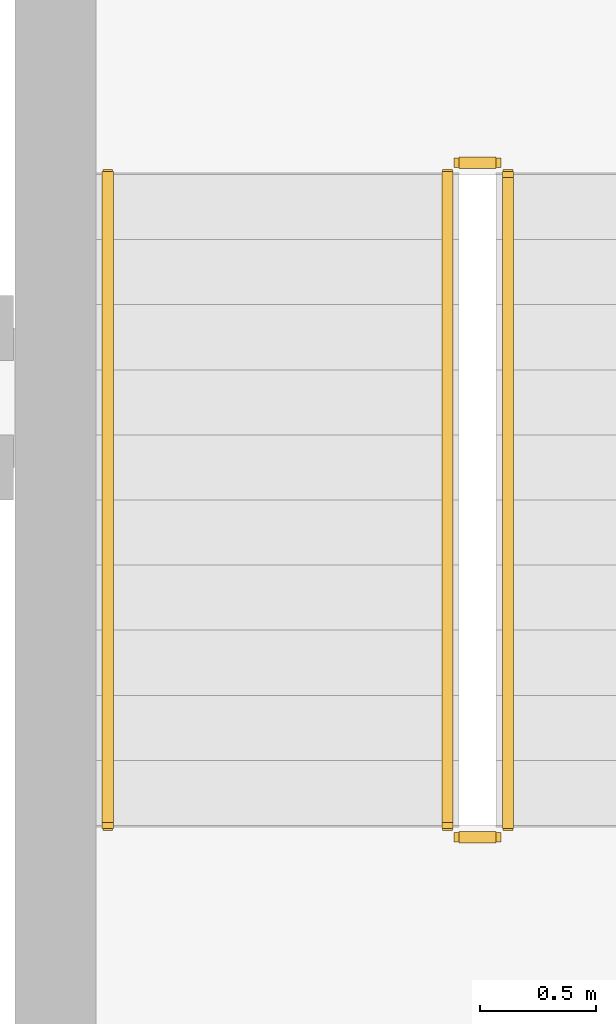
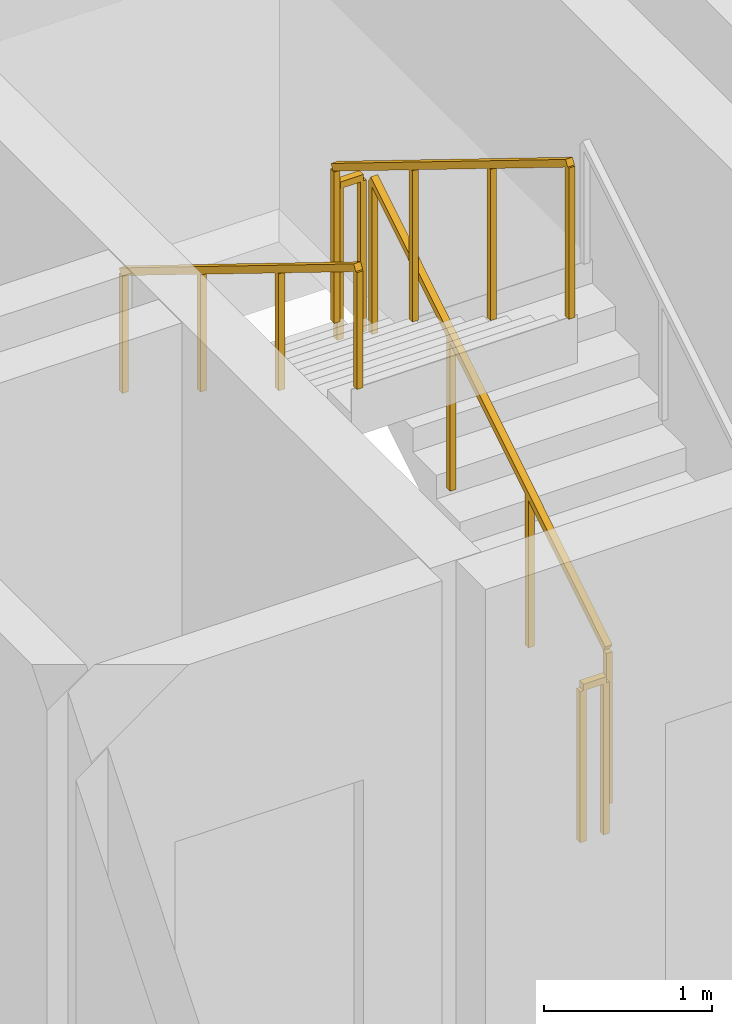
# One storey, part 14 of 15: 5 railings.
"""IFC4 building model written with IfcOpenShell, lengths in metres."""

from ifc_helpers import new_model, si_unit, direction, frame, origin, origin_2d, place, context, subcontext, project, spatial, rectangle, extrude, material, type_object, element, save


model = new_model("IFC4")

# Units and contexts
model_context = context("Model", 3, precision=1e-05, world=origin(), true_north=direction((0.0, 1.0)))
body_context = subcontext(model_context, "Body", "Model", "MODEL_VIEW")
ifc_project = project(units=[si_unit("LENGTHUNIT", "METRE"), si_unit("AREAUNIT", "SQUARE_METRE"), si_unit("VOLUMEUNIT", "CUBIC_METRE"), si_unit("PLANEANGLEUNIT", "RADIAN"), si_unit("MASSUNIT", "GRAM", prefix="KILO")], contexts=[model_context])

# Site, building, storey
site_placement = place(None, origin())
site = spatial("IfcSite", under=ifc_project, at=site_placement, CompositionType="ELEMENT")
building_placement = place(site_placement, origin())
building = spatial("IfcBuilding", under=site, at=building_placement, Name="Kaelvorn Grand Hotel", CompositionType="ELEMENT")
storey_placement = place(building_placement, frame((0.0, 0.0, 146.75)))
storey = spatial("IfcBuildingStorey", under=building, at=storey_placement, Name="L35", CompositionType="ELEMENT", Elevation=146.75)

# Railings
ifc_material = material(Name="Stainless Steel", Category="steel")
railing_type_1 = type_object("IfcRailingType", Name="RL-HANDRAIL-900", PredefinedType="HANDRAIL", material=ifc_material)
railing_1_placement = place(storey_placement, frame((63.3701171875, 44.56005859375, 2.07275390625)))
element("IfcRailing", 1, at=railing_1_placement, inside=storey, type_object=railing_type_1, Name="L35 ST3 stair handrail 2", PredefinedType="HANDRAIL", context=body_context, shape_type="SweptSolid", body=[
    extrude(rectangle(XDim=0.048095703125, YDim=0.048095703125, at=origin_2d()), frame((0.0, 0.0, 0.8759765625), z_axis=(0.0, -0.851089632645, 0.525020415988), x_axis=(1.0, 0.0, 0.0)), (0.0, 0.0, 1.0), 3.2900390625),
    extrude(rectangle(XDim=0.0419921875, YDim=0.0419921875, at=origin_2d()), origin(), (0.0, 0.0, 1.0), 0.851806640625),
    extrude(rectangle(XDim=0.0419921875, YDim=0.0419921875, at=origin_2d()), frame((0.0, -0.933349609375, 0.57568359375)), (0.0, 0.0, 1.0), 0.851806640625),
    extrude(rectangle(XDim=0.0419921875, YDim=0.0419921875, at=origin_2d()), frame((0.0, -1.86669921875, 1.151611328125)), (0.0, 0.0, 1.0), 0.851806640625),
    extrude(rectangle(XDim=0.0419921875, YDim=0.0419921875, at=origin_2d()), frame((0.0, -2.800048828125, 1.727294921875)), (0.0, 0.0, 1.0), 0.851806640625),
])
railing_type_2 = type_object("IfcRailingType", Name="RL-STAIR-GUARD-1150", PredefinedType="BALUSTRADE", material=ifc_material)
railing_2_placement = place(storey_placement, frame((65.090087890625, 41.760009765625, 0.172607421875)))
element("IfcRailing", 2, at=railing_2_placement, inside=storey, type_object=railing_type_2, Name="L35 ST3 stair guard 1", PredefinedType="BALUSTRADE", context=body_context, shape_type="SweptSolid", body=[
    extrude(rectangle(XDim=0.048095703125, YDim=0.048095703125, at=origin_2d()), frame((0.0, 0.0, 1.1259765625), z_axis=(0.0, 0.851089632645, 0.525020415988), x_axis=(-1.0, 0.0, 0.0)), (0.0, 0.0, 1.0), 3.2900390625),
    extrude(rectangle(XDim=0.0419921875, YDim=0.0419921875, at=origin_2d()), origin(), (0.0, 0.0, 1.0), 1.101806640625),
    extrude(rectangle(XDim=0.0419921875, YDim=0.0419921875, at=origin_2d()), frame((0.0, 0.933349609375, 0.57568359375)), (0.0, 0.0, 1.0), 1.101806640625),
    extrude(rectangle(XDim=0.0419921875, YDim=0.0419921875, at=origin_2d()), frame((0.0, 1.86669921875, 1.151611328125)), (0.0, 0.0, 1.0), 1.101806640625),
    extrude(rectangle(XDim=0.0419921875, YDim=0.0419921875, at=origin_2d()), frame((0.0, 2.800048828125, 1.727294921875)), (0.0, 0.0, 1.0), 1.101806640625),
])
railing_3_placement = place(storey_placement, frame((65.0400390625, 44.610107421875, 1.89990234375)))
element("IfcRailing", 3, at=railing_3_placement, inside=storey, type_object=railing_type_2, Name="L35 ST3 stair guard 2", PredefinedType="BALUSTRADE", context=body_context, shape_type="SweptSolid", body=[
    extrude(rectangle(XDim=0.048095703125, YDim=0.048095703125, at=origin_2d()), frame((0.0, 0.0, 1.1259765625), z_axis=(-1.0, 0.0, 0.0), x_axis=(0.0, -1.0, 0.0)), (0.0, 0.0, 1.0), 0.16015625),
    extrude(rectangle(XDim=0.0419921875, YDim=0.0419921875, at=origin_2d()), origin(), (0.0, 0.0, 1.0), 1.101806640625),
    extrude(rectangle(XDim=0.0419921875, YDim=0.0419921875, at=origin_2d()), frame((-0.16015625, 0.0, 0.0)), (0.0, 0.0, 1.0), 1.101806640625),
])
railing_4_placement = place(storey_placement, frame((64.830078125, 44.56005859375, 2.07275390625)))
element("IfcRailing", 4, at=railing_4_placement, inside=storey, type_object=railing_type_2, Name="L35 ST3 stair guard 3", PredefinedType="BALUSTRADE", context=body_context, shape_type="SweptSolid", body=[
    extrude(rectangle(XDim=0.048095703125, YDim=0.048095703125, at=origin_2d()), frame((0.0, 0.0, 1.1259765625), z_axis=(0.0, -0.851089632645, 0.525020415988), x_axis=(1.0, 0.0, 0.0)), (0.0, 0.0, 1.0), 3.2900390625),
    extrude(rectangle(XDim=0.0419921875, YDim=0.0419921875, at=origin_2d()), origin(), (0.0, 0.0, 1.0), 1.101806640625),
    extrude(rectangle(XDim=0.0419921875, YDim=0.0419921875, at=origin_2d()), frame((0.0, -0.933349609375, 0.57568359375)), (0.0, 0.0, 1.0), 1.101806640625),
    extrude(rectangle(XDim=0.0419921875, YDim=0.0419921875, at=origin_2d()), frame((0.0, -1.86669921875, 1.151611328125)), (0.0, 0.0, 1.0), 1.101806640625),
    extrude(rectangle(XDim=0.0419921875, YDim=0.0419921875, at=origin_2d()), frame((0.0, -2.800048828125, 1.727294921875)), (0.0, 0.0, 1.0), 1.101806640625),
])
railing_5_placement = place(storey_placement, frame((65.0400390625, 41.7099609375, 0.0)))
element("IfcRailing", 5, at=railing_5_placement, inside=storey, type_object=railing_type_2, Name="L35 ST3 stair guard 4", PredefinedType="BALUSTRADE", context=body_context, shape_type="SweptSolid", body=[
    extrude(rectangle(XDim=0.048095703125, YDim=0.048095703125, at=origin_2d()), frame((0.0, 0.0, 1.1259765625), z_axis=(-1.0, 0.0, 0.0), x_axis=(0.0, -1.0, 0.0)), (0.0, 0.0, 1.0), 0.16015625),
    extrude(rectangle(XDim=0.0419921875, YDim=0.0419921875, at=origin_2d()), origin(), (0.0, 0.0, 1.0), 1.101806640625),
    extrude(rectangle(XDim=0.0419921875, YDim=0.0419921875, at=origin_2d()), frame((-0.16015625, 0.0, 0.0)), (0.0, 0.0, 1.0), 1.101806640625),
])

save(model, "model.ifc")
